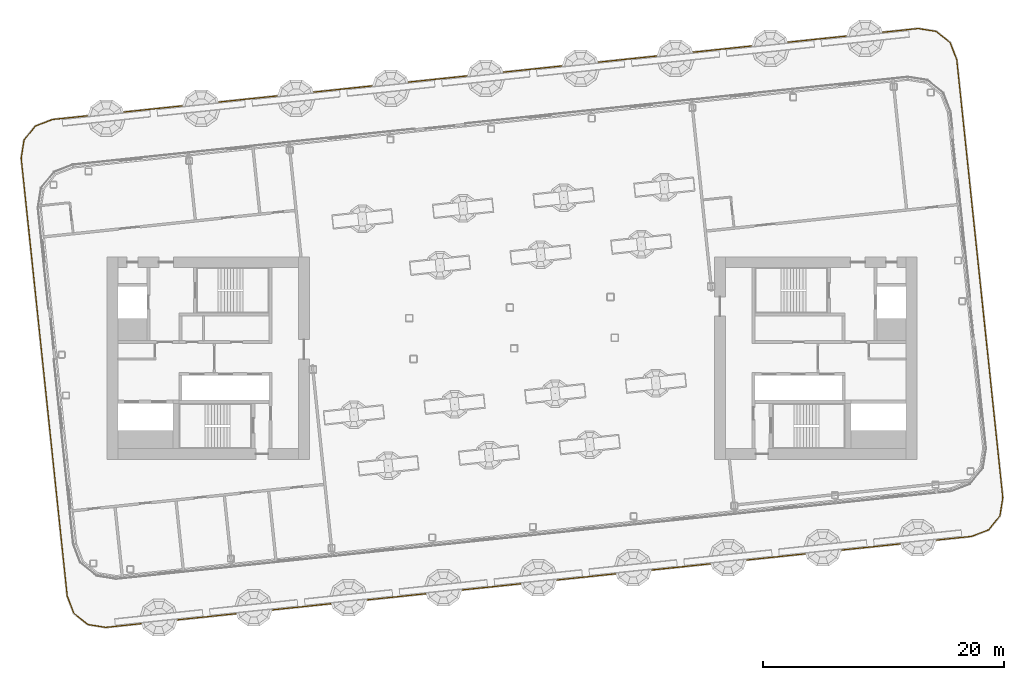
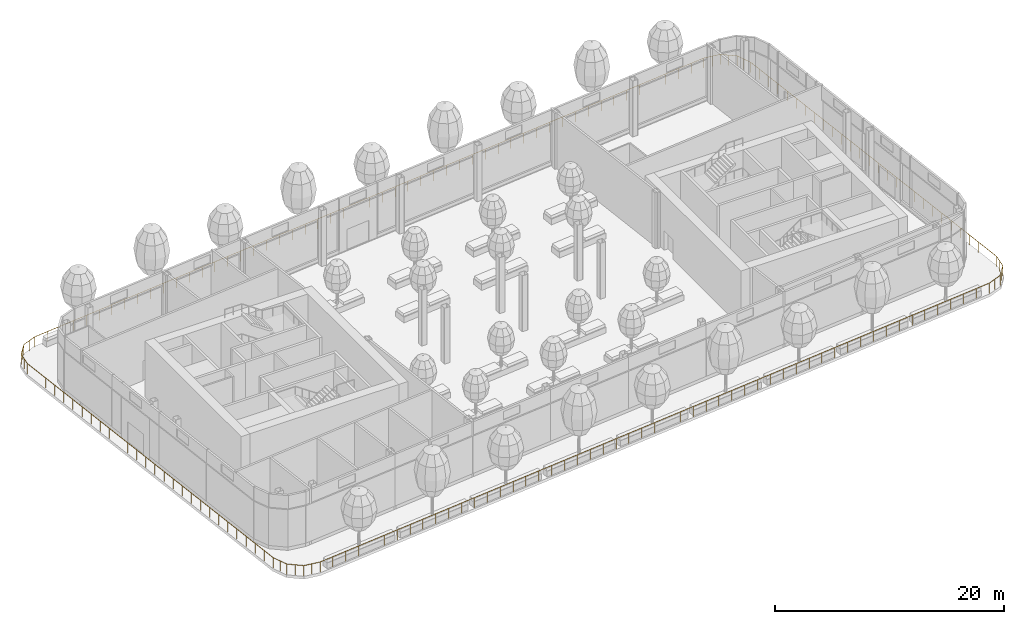
# One storey, part 33 of 42: 1 railing.
"""IFC4 building model written with IfcOpenShell, lengths in metres."""

from ifc_helpers import new_model, si_unit, direction, frame, origin, origin_2d, place, context, subcontext, project, spatial, circle, extrude, material, type_object, element, save


model = new_model("IFC4")

# Units and contexts
model_context = context("Model", 3, precision=1e-05, world=origin(), true_north=direction((0.0, 1.0)))
body_context = subcontext(model_context, "Body", "Model", "MODEL_VIEW")
ifc_project = project(units=[si_unit("LENGTHUNIT", "METRE"), si_unit("AREAUNIT", "SQUARE_METRE"), si_unit("VOLUMEUNIT", "CUBIC_METRE"), si_unit("PLANEANGLEUNIT", "RADIAN"), si_unit("MASSUNIT", "GRAM", prefix="KILO")], contexts=[model_context])

# Site, building, storey
site_placement = place(None, origin())
site = spatial("IfcSite", under=ifc_project, at=site_placement, CompositionType="ELEMENT")
building_placement = place(site_placement, origin())
building = spatial("IfcBuilding", under=site, at=building_placement, Name="Hakoniwa Tower and Hamabe Station Hall", CompositionType="ELEMENT")
storey_placement = place(building_placement, frame((0.0, 0.0, 232.60009765625)))
storey = spatial("IfcBuildingStorey", under=building, at=storey_placement, Name="L66", CompositionType="ELEMENT", Elevation=232.60009765625)

# Railing
ifc_material = material(Name="Stainless steel and laminated glass", Category="steel")
railing_type = type_object("IfcRailingType", Name="TERRACE BALUSTRADE 1100", PredefinedType="BALUSTRADE", material=ifc_material)
railing_placement = place(storey_placement, frame((40.49560546875, -13.09130859375, 0.0)))
element("IfcRailing", 1, at=railing_placement, inside=storey, type_object=railing_type, Name="Terrace balustrade", PredefinedType="BALUSTRADE", context=body_context, shape_type="SweptSolid", body=[
    extrude(circle(Radius=0.02392578125, at=origin_2d()), frame((0.0, 0.0, 1.076171875), z_axis=(0.156492768911, 0.987679104405, 0.0), x_axis=(-0.987679104405, 0.156492768911, 0.0)), (0.0, 0.0, 1.0), 1.51318359375),
    extrude(circle(Radius=0.02392578125, at=origin_2d()), frame((0.23681640625, 1.49462890625, 1.076171875), z_axis=(-0.104530767026, 0.994521653231, 0.0), x_axis=(-0.994521653231, -0.104530767026, 0.0)), (0.0, 0.0, 1.0), 36.55419921875),
    extrude(circle(Radius=0.02392578125, at=origin_2d()), frame((-3.584228515625, 37.8486328125, 1.076171875), z_axis=(-0.358395357491, 0.933569905111, 0.0), x_axis=(-0.933569905111, -0.358395357491, 0.0)), (0.0, 0.0, 1.0), 1.513671875),
    extrude(circle(Radius=0.02392578125, at=origin_2d()), frame((-4.126708984375, 39.26171875, 1.076171875), z_axis=(-0.777138714481, 0.629329340214, 0.0), x_axis=(-0.629329340214, -0.777138714481, 0.0)), (0.0, 0.0, 1.0), 1.499755859375),
    extrude(circle(Radius=0.02392578125, at=origin_2d()), frame((-5.292236328125, 40.20556640625, 1.076171875), z_axis=(-0.987683054498, 0.156467836496, 0.0), x_axis=(-0.156467836496, -0.987683054498, 0.0)), (0.0, 0.0, 1.0), 1.513427734375),
    extrude(circle(Radius=0.02392578125, at=origin_2d()), frame((-6.787109375, 40.4423828125, 1.076171875), z_axis=(-0.994521791723, -0.104529449378, 0.0), x_axis=(0.104529449378, -0.994521791723, 0.0)), (0.0, 0.0, 1.0), 72.242919921875),
    extrude(circle(Radius=0.02392578125, at=origin_2d()), frame((-78.63427734375, 32.890869140625, 1.076171875), z_axis=(-0.933569905111, -0.358395357491, 0.0), x_axis=(0.358395357491, -0.933569905111, 0.0)), (0.0, 0.0, 1.0), 1.513671875),
    extrude(circle(Radius=0.02392578125, at=origin_2d()), frame((-80.04736328125, 32.348388671875, 1.076171875), z_axis=(-0.629329340214, -0.777138714481, 0.0), x_axis=(0.777138714481, -0.629329340214, 0.0)), (0.0, 0.0, 1.0), 1.499755859375),
    extrude(circle(Radius=0.02392578125, at=origin_2d()), frame((-80.9912109375, 31.182861328125, 1.076171875), z_axis=(-0.156467836496, -0.987683054498, 0.0), x_axis=(0.987683054498, -0.156467836496, 0.0)), (0.0, 0.0, 1.0), 1.513427734375),
    extrude(circle(Radius=0.02392578125, at=origin_2d()), frame((-81.22802734375, 29.68798828125, 1.076171875), z_axis=(0.104530767026, -0.994521653231, 0.0), x_axis=(0.994521653231, 0.104530767026, 0.0)), (0.0, 0.0, 1.0), 36.55419921875),
    extrude(circle(Radius=0.02392578125, at=origin_2d()), frame((-77.406982421875, -6.666015625, 1.076171875), z_axis=(0.358395357491, -0.933569905111, 0.0), x_axis=(0.933569905111, 0.358395357491, 0.0)), (0.0, 0.0, 1.0), 1.513671875),
    extrude(circle(Radius=0.02392578125, at=origin_2d()), frame((-76.864501953125, -8.0791015625, 1.076171875), z_axis=(0.777138714481, -0.629329340214, 0.0), x_axis=(0.629329340214, 0.777138714481, 0.0)), (0.0, 0.0, 1.0), 1.499755859375),
    extrude(circle(Radius=0.02392578125, at=origin_2d()), frame((-75.698974609375, -9.02294921875, 1.076171875), z_axis=(0.987683054498, -0.156467836496, 0.0), x_axis=(0.156467836496, 0.987683054498, 0.0)), (0.0, 0.0, 1.0), 1.513427734375),
    extrude(circle(Radius=0.02392578125, at=origin_2d()), frame((-74.2041015625, -9.259765625, 1.076171875), z_axis=(0.994521791723, 0.104529449378, 0.0), x_axis=(-0.104529449378, 0.994521791723, 0.0)), (0.0, 0.0, 1.0), 72.242919921875),
    extrude(circle(Radius=0.02392578125, at=origin_2d()), frame((-2.35693359375, -1.708251953125, 1.076171875), z_axis=(0.933569905111, 0.358395357491, 0.0), x_axis=(-0.358395357491, 0.933569905111, 0.0)), (0.0, 0.0, 1.0), 1.513671875),
    extrude(circle(Radius=0.02392578125, at=origin_2d()), frame((-0.94384765625, -1.165771484375, 1.076171875), z_axis=(0.629249732395, 0.777203174389, 0.0), x_axis=(-0.777203174389, 0.629249732395, 0.0)), (0.0, 0.0, 1.0), 1.5),
    extrude(circle(Radius=0.02099609375, at=origin_2d()), origin(), (0.0, 0.0, 1.0), 1.052001953125),
    extrude(circle(Radius=0.02099609375, at=origin_2d()), frame((0.118408203125, 0.747314453125, 0.0)), (0.0, 0.0, 1.0), 1.052001953125),
    extrude(circle(Radius=0.02099609375, at=origin_2d()), frame((0.23681640625, 1.49462890625, 0.0)), (0.0, 0.0, 1.0), 1.052001953125),
    extrude(circle(Radius=0.02099609375, at=origin_2d()), frame((0.09521484375, 2.841064453125, 0.0)), (0.0, 0.0, 1.0), 1.052001953125),
    extrude(circle(Radius=0.02099609375, at=origin_2d()), frame((-0.046142578125, 4.1875, 0.0)), (0.0, 0.0, 1.0), 1.052001953125),
    extrude(circle(Radius=0.02099609375, at=origin_2d()), frame((-0.187744140625, 5.533935546875, 0.0)), (0.0, 0.0, 1.0), 1.052001953125),
    extrude(circle(Radius=0.02099609375, at=origin_2d()), frame((-0.329345703125, 6.88037109375, 0.0)), (0.0, 0.0, 1.0), 1.052001953125),
    extrude(circle(Radius=0.02099609375, at=origin_2d()), frame((-0.470703125, 8.226806640625, 0.0)), (0.0, 0.0, 1.0), 1.052001953125),
    extrude(circle(Radius=0.02099609375, at=origin_2d()), frame((-0.6123046875, 9.5732421875, 0.0)), (0.0, 0.0, 1.0), 1.052001953125),
    extrude(circle(Radius=0.02099609375, at=origin_2d()), frame((-0.75390625, 10.919677734375, 0.0)), (0.0, 0.0, 1.0), 1.052001953125),
    extrude(circle(Radius=0.02099609375, at=origin_2d()), frame((-0.895263671875, 12.26611328125, 0.0)), (0.0, 0.0, 1.0), 1.052001953125),
    extrude(circle(Radius=0.02099609375, at=origin_2d()), frame((-1.036865234375, 13.612548828125, 0.0)), (0.0, 0.0, 1.0), 1.052001953125),
    extrude(circle(Radius=0.02099609375, at=origin_2d()), frame((-1.178466796875, 14.958984375, 0.0)), (0.0, 0.0, 1.0), 1.052001953125),
    extrude(circle(Radius=0.02099609375, at=origin_2d()), frame((-1.31982421875, 16.305419921875, 0.0)), (0.0, 0.0, 1.0), 1.052001953125),
    extrude(circle(Radius=0.02099609375, at=origin_2d()), frame((-1.46142578125, 17.65185546875, 0.0)), (0.0, 0.0, 1.0), 1.052001953125),
    extrude(circle(Radius=0.02099609375, at=origin_2d()), frame((-1.60302734375, 18.998291015625, 0.0)), (0.0, 0.0, 1.0), 1.052001953125),
    extrude(circle(Radius=0.02099609375, at=origin_2d()), frame((-1.744384765625, 20.344970703125, 0.0)), (0.0, 0.0, 1.0), 1.052001953125),
    extrude(circle(Radius=0.02099609375, at=origin_2d()), frame((-1.885986328125, 21.69140625, 0.0)), (0.0, 0.0, 1.0), 1.052001953125),
    extrude(circle(Radius=0.02099609375, at=origin_2d()), frame((-2.027587890625, 23.037841796875, 0.0)), (0.0, 0.0, 1.0), 1.052001953125),
    extrude(circle(Radius=0.02099609375, at=origin_2d()), frame((-2.1689453125, 24.38427734375, 0.0)), (0.0, 0.0, 1.0), 1.052001953125),
    extrude(circle(Radius=0.02099609375, at=origin_2d()), frame((-2.310546875, 25.730712890625, 0.0)), (0.0, 0.0, 1.0), 1.052001953125),
    extrude(circle(Radius=0.02099609375, at=origin_2d()), frame((-2.4521484375, 27.0771484375, 0.0)), (0.0, 0.0, 1.0), 1.052001953125),
    extrude(circle(Radius=0.02099609375, at=origin_2d()), frame((-2.593505859375, 28.423583984375, 0.0)), (0.0, 0.0, 1.0), 1.052001953125),
    extrude(circle(Radius=0.02099609375, at=origin_2d()), frame((-2.735107421875, 29.77001953125, 0.0)), (0.0, 0.0, 1.0), 1.052001953125),
    extrude(circle(Radius=0.02099609375, at=origin_2d()), frame((-2.876708984375, 31.116455078125, 0.0)), (0.0, 0.0, 1.0), 1.052001953125),
    extrude(circle(Radius=0.02099609375, at=origin_2d()), frame((-3.01806640625, 32.462890625, 0.0)), (0.0, 0.0, 1.0), 1.052001953125),
    extrude(circle(Radius=0.02099609375, at=origin_2d()), frame((-3.15966796875, 33.809326171875, 0.0)), (0.0, 0.0, 1.0), 1.052001953125),
    extrude(circle(Radius=0.02099609375, at=origin_2d()), frame((-3.30126953125, 35.15576171875, 0.0)), (0.0, 0.0, 1.0), 1.052001953125),
    extrude(circle(Radius=0.02099609375, at=origin_2d()), frame((-3.442626953125, 36.502197265625, 0.0)), (0.0, 0.0, 1.0), 1.052001953125),
    extrude(circle(Radius=0.02099609375, at=origin_2d()), frame((-3.584228515625, 37.8486328125, 0.0)), (0.0, 0.0, 1.0), 1.052001953125),
    extrude(circle(Radius=0.02099609375, at=origin_2d()), frame((-3.85546875, 38.55517578125, 0.0)), (0.0, 0.0, 1.0), 1.052001953125),
    extrude(circle(Radius=0.02099609375, at=origin_2d()), frame((-4.126708984375, 39.26171875, 0.0)), (0.0, 0.0, 1.0), 1.052001953125),
    extrude(circle(Radius=0.02099609375, at=origin_2d()), frame((-4.70947265625, 39.733642578125, 0.0)), (0.0, 0.0, 1.0), 1.052001953125),
    extrude(circle(Radius=0.02099609375, at=origin_2d()), frame((-5.292236328125, 40.20556640625, 0.0)), (0.0, 0.0, 1.0), 1.052001953125),
    extrude(circle(Radius=0.02099609375, at=origin_2d()), frame((-6.03955078125, 40.323974609375, 0.0)), (0.0, 0.0, 1.0), 1.052001953125),
    extrude(circle(Radius=0.02099609375, at=origin_2d()), frame((-6.787109375, 40.4423828125, 0.0)), (0.0, 0.0, 1.0), 1.052001953125),
    extrude(circle(Radius=0.02099609375, at=origin_2d()), frame((-8.168701171875, 40.297119140625, 0.0)), (0.0, 0.0, 1.0), 1.052001953125),
    extrude(circle(Radius=0.02099609375, at=origin_2d()), frame((-9.550537109375, 40.15185546875, 0.0)), (0.0, 0.0, 1.0), 1.052001953125),
    extrude(circle(Radius=0.02099609375, at=origin_2d()), frame((-10.93212890625, 40.0068359375, 0.0)), (0.0, 0.0, 1.0), 1.052001953125),
    extrude(circle(Radius=0.02099609375, at=origin_2d()), frame((-12.313720703125, 39.861572265625, 0.0)), (0.0, 0.0, 1.0), 1.052001953125),
    extrude(circle(Radius=0.02099609375, at=origin_2d()), frame((-13.695556640625, 39.71630859375, 0.0)), (0.0, 0.0, 1.0), 1.052001953125),
    extrude(circle(Radius=0.02099609375, at=origin_2d()), frame((-15.0771484375, 39.571044921875, 0.0)), (0.0, 0.0, 1.0), 1.052001953125),
    extrude(circle(Radius=0.02099609375, at=origin_2d()), frame((-16.458740234375, 39.42578125, 0.0)), (0.0, 0.0, 1.0), 1.052001953125),
    extrude(circle(Radius=0.02099609375, at=origin_2d()), frame((-17.840576171875, 39.280517578125, 0.0)), (0.0, 0.0, 1.0), 1.052001953125),
    extrude(circle(Radius=0.02099609375, at=origin_2d()), frame((-19.22216796875, 39.135498046875, 0.0)), (0.0, 0.0, 1.0), 1.052001953125),
    extrude(circle(Radius=0.02099609375, at=origin_2d()), frame((-20.603759765625, 38.990234375, 0.0)), (0.0, 0.0, 1.0), 1.052001953125),
    extrude(circle(Radius=0.02099609375, at=origin_2d()), frame((-21.985595703125, 38.844970703125, 0.0)), (0.0, 0.0, 1.0), 1.052001953125),
    extrude(circle(Radius=0.02099609375, at=origin_2d()), frame((-23.3671875, 38.69970703125, 0.0)), (0.0, 0.0, 1.0), 1.052001953125),
    extrude(circle(Radius=0.02099609375, at=origin_2d()), frame((-24.7490234375, 38.554443359375, 0.0)), (0.0, 0.0, 1.0), 1.052001953125),
    extrude(circle(Radius=0.02099609375, at=origin_2d()), frame((-26.130615234375, 38.4091796875, 0.0)), (0.0, 0.0, 1.0), 1.052001953125),
    extrude(circle(Radius=0.02099609375, at=origin_2d()), frame((-27.51220703125, 38.26416015625, 0.0)), (0.0, 0.0, 1.0), 1.052001953125),
    extrude(circle(Radius=0.02099609375, at=origin_2d()), frame((-28.89404296875, 38.118896484375, 0.0)), (0.0, 0.0, 1.0), 1.052001953125),
    extrude(circle(Radius=0.02099609375, at=origin_2d()), frame((-30.275634765625, 37.9736328125, 0.0)), (0.0, 0.0, 1.0), 1.052001953125),
    extrude(circle(Radius=0.02099609375, at=origin_2d()), frame((-31.6572265625, 37.828369140625, 0.0)), (0.0, 0.0, 1.0), 1.052001953125),
    extrude(circle(Radius=0.02099609375, at=origin_2d()), frame((-33.0390625, 37.68310546875, 0.0)), (0.0, 0.0, 1.0), 1.052001953125),
    extrude(circle(Radius=0.02099609375, at=origin_2d()), frame((-34.420654296875, 37.537841796875, 0.0)), (0.0, 0.0, 1.0), 1.052001953125),
    extrude(circle(Radius=0.02099609375, at=origin_2d()), frame((-35.80224609375, 37.392822265625, 0.0)), (0.0, 0.0, 1.0), 1.052001953125),
    extrude(circle(Radius=0.02099609375, at=origin_2d()), frame((-37.18408203125, 37.24755859375, 0.0)), (0.0, 0.0, 1.0), 1.052001953125),
    extrude(circle(Radius=0.02099609375, at=origin_2d()), frame((-38.565673828125, 37.102294921875, 0.0)), (0.0, 0.0, 1.0), 1.052001953125),
    extrude(circle(Radius=0.02099609375, at=origin_2d()), frame((-39.947265625, 36.95703125, 0.0)), (0.0, 0.0, 1.0), 1.052001953125),
    extrude(circle(Radius=0.02099609375, at=origin_2d()), frame((-41.3291015625, 36.811767578125, 0.0)), (0.0, 0.0, 1.0), 1.052001953125),
    extrude(circle(Radius=0.02099609375, at=origin_2d()), frame((-42.710693359375, 36.66650390625, 0.0)), (0.0, 0.0, 1.0), 1.052001953125),
    extrude(circle(Radius=0.02099609375, at=origin_2d()), frame((-44.09228515625, 36.521484375, 0.0)), (0.0, 0.0, 1.0), 1.052001953125),
    extrude(circle(Radius=0.02099609375, at=origin_2d()), frame((-45.47412109375, 36.376220703125, 0.0)), (0.0, 0.0, 1.0), 1.052001953125),
    extrude(circle(Radius=0.02099609375, at=origin_2d()), frame((-46.855712890625, 36.23095703125, 0.0)), (0.0, 0.0, 1.0), 1.052001953125),
    extrude(circle(Radius=0.02099609375, at=origin_2d()), frame((-48.2373046875, 36.085693359375, 0.0)), (0.0, 0.0, 1.0), 1.052001953125),
    extrude(circle(Radius=0.02099609375, at=origin_2d()), frame((-49.619140625, 35.9404296875, 0.0)), (0.0, 0.0, 1.0), 1.052001953125),
    extrude(circle(Radius=0.02099609375, at=origin_2d()), frame((-51.000732421875, 35.79541015625, 0.0)), (0.0, 0.0, 1.0), 1.052001953125),
    extrude(circle(Radius=0.02099609375, at=origin_2d()), frame((-52.38232421875, 35.650146484375, 0.0)), (0.0, 0.0, 1.0), 1.052001953125),
    extrude(circle(Radius=0.02099609375, at=origin_2d()), frame((-53.76416015625, 35.5048828125, 0.0)), (0.0, 0.0, 1.0), 1.052001953125),
    extrude(circle(Radius=0.02099609375, at=origin_2d()), frame((-55.145751953125, 35.359619140625, 0.0)), (0.0, 0.0, 1.0), 1.052001953125),
    extrude(circle(Radius=0.02099609375, at=origin_2d()), frame((-56.52734375, 35.21435546875, 0.0)), (0.0, 0.0, 1.0), 1.052001953125),
    extrude(circle(Radius=0.02099609375, at=origin_2d()), frame((-57.9091796875, 35.069091796875, 0.0)), (0.0, 0.0, 1.0), 1.052001953125),
    extrude(circle(Radius=0.02099609375, at=origin_2d()), frame((-59.290771484375, 34.924072265625, 0.0)), (0.0, 0.0, 1.0), 1.052001953125),
    extrude(circle(Radius=0.02099609375, at=origin_2d()), frame((-60.67236328125, 34.77880859375, 0.0)), (0.0, 0.0, 1.0), 1.052001953125),
    extrude(circle(Radius=0.02099609375, at=origin_2d()), frame((-62.05419921875, 34.633544921875, 0.0)), (0.0, 0.0, 1.0), 1.052001953125),
    extrude(circle(Radius=0.02099609375, at=origin_2d()), frame((-63.435791015625, 34.48828125, 0.0)), (0.0, 0.0, 1.0), 1.052001953125),
    extrude(circle(Radius=0.02099609375, at=origin_2d()), frame((-64.817626953125, 34.343017578125, 0.0)), (0.0, 0.0, 1.0), 1.052001953125),
    extrude(circle(Radius=0.02099609375, at=origin_2d()), frame((-66.19921875, 34.19775390625, 0.0)), (0.0, 0.0, 1.0), 1.052001953125),
    extrude(circle(Radius=0.02099609375, at=origin_2d()), frame((-67.580810546875, 34.052734375, 0.0)), (0.0, 0.0, 1.0), 1.052001953125),
    extrude(circle(Radius=0.02099609375, at=origin_2d()), frame((-68.962646484375, 33.907470703125, 0.0)), (0.0, 0.0, 1.0), 1.052001953125),
    extrude(circle(Radius=0.02099609375, at=origin_2d()), frame((-70.34423828125, 33.76220703125, 0.0)), (0.0, 0.0, 1.0), 1.052001953125),
    extrude(circle(Radius=0.02099609375, at=origin_2d()), frame((-71.725830078125, 33.616943359375, 0.0)), (0.0, 0.0, 1.0), 1.052001953125),
    extrude(circle(Radius=0.02099609375, at=origin_2d()), frame((-73.107666015625, 33.4716796875, 0.0)), (0.0, 0.0, 1.0), 1.052001953125),
    extrude(circle(Radius=0.02099609375, at=origin_2d()), frame((-74.4892578125, 33.326416015625, 0.0)), (0.0, 0.0, 1.0), 1.052001953125),
    extrude(circle(Radius=0.02099609375, at=origin_2d()), frame((-75.870849609375, 33.181396484375, 0.0)), (0.0, 0.0, 1.0), 1.052001953125),
    extrude(circle(Radius=0.02099609375, at=origin_2d()), frame((-77.252685546875, 33.0361328125, 0.0)), (0.0, 0.0, 1.0), 1.052001953125),
    extrude(circle(Radius=0.02099609375, at=origin_2d()), frame((-78.63427734375, 32.890869140625, 0.0)), (0.0, 0.0, 1.0), 1.052001953125),
    extrude(circle(Radius=0.02099609375, at=origin_2d()), frame((-79.3408203125, 32.61962890625, 0.0)), (0.0, 0.0, 1.0), 1.052001953125),
    extrude(circle(Radius=0.02099609375, at=origin_2d()), frame((-80.04736328125, 32.348388671875, 0.0)), (0.0, 0.0, 1.0), 1.052001953125),
    extrude(circle(Radius=0.02099609375, at=origin_2d()), frame((-80.519287109375, 31.765625, 0.0)), (0.0, 0.0, 1.0), 1.052001953125),
    extrude(circle(Radius=0.02099609375, at=origin_2d()), frame((-80.9912109375, 31.182861328125, 0.0)), (0.0, 0.0, 1.0), 1.052001953125),
    extrude(circle(Radius=0.02099609375, at=origin_2d()), frame((-81.109619140625, 30.435546875, 0.0)), (0.0, 0.0, 1.0), 1.052001953125),
    extrude(circle(Radius=0.02099609375, at=origin_2d()), frame((-81.22802734375, 29.68798828125, 0.0)), (0.0, 0.0, 1.0), 1.052001953125),
    extrude(circle(Radius=0.02099609375, at=origin_2d()), frame((-81.08642578125, 28.341552734375, 0.0)), (0.0, 0.0, 1.0), 1.052001953125),
    extrude(circle(Radius=0.02099609375, at=origin_2d()), frame((-80.945068359375, 26.9951171875, 0.0)), (0.0, 0.0, 1.0), 1.052001953125),
    extrude(circle(Radius=0.02099609375, at=origin_2d()), frame((-80.803466796875, 25.648681640625, 0.0)), (0.0, 0.0, 1.0), 1.052001953125),
    extrude(circle(Radius=0.02099609375, at=origin_2d()), frame((-80.661865234375, 24.30224609375, 0.0)), (0.0, 0.0, 1.0), 1.052001953125),
    extrude(circle(Radius=0.02099609375, at=origin_2d()), frame((-80.5205078125, 22.955810546875, 0.0)), (0.0, 0.0, 1.0), 1.052001953125),
    extrude(circle(Radius=0.02099609375, at=origin_2d()), frame((-80.37890625, 21.609375, 0.0)), (0.0, 0.0, 1.0), 1.052001953125),
    extrude(circle(Radius=0.02099609375, at=origin_2d()), frame((-80.2373046875, 20.262939453125, 0.0)), (0.0, 0.0, 1.0), 1.052001953125),
    extrude(circle(Radius=0.02099609375, at=origin_2d()), frame((-80.095947265625, 18.91650390625, 0.0)), (0.0, 0.0, 1.0), 1.052001953125),
    extrude(circle(Radius=0.02099609375, at=origin_2d()), frame((-79.954345703125, 17.570068359375, 0.0)), (0.0, 0.0, 1.0), 1.052001953125),
    extrude(circle(Radius=0.02099609375, at=origin_2d()), frame((-79.812744140625, 16.2236328125, 0.0)), (0.0, 0.0, 1.0), 1.052001953125),
    extrude(circle(Radius=0.02099609375, at=origin_2d()), frame((-79.67138671875, 14.877197265625, 0.0)), (0.0, 0.0, 1.0), 1.052001953125),
    extrude(circle(Radius=0.02099609375, at=origin_2d()), frame((-79.52978515625, 13.53076171875, 0.0)), (0.0, 0.0, 1.0), 1.052001953125),
    extrude(circle(Radius=0.02099609375, at=origin_2d()), frame((-79.38818359375, 12.184326171875, 0.0)), (0.0, 0.0, 1.0), 1.052001953125),
    extrude(circle(Radius=0.02099609375, at=origin_2d()), frame((-79.246826171875, 10.837646484375, 0.0)), (0.0, 0.0, 1.0), 1.052001953125),
    extrude(circle(Radius=0.02099609375, at=origin_2d()), frame((-79.105224609375, 9.4912109375, 0.0)), (0.0, 0.0, 1.0), 1.052001953125),
    extrude(circle(Radius=0.02099609375, at=origin_2d()), frame((-78.963623046875, 8.144775390625, 0.0)), (0.0, 0.0, 1.0), 1.052001953125),
    extrude(circle(Radius=0.02099609375, at=origin_2d()), frame((-78.822265625, 6.79833984375, 0.0)), (0.0, 0.0, 1.0), 1.052001953125),
    extrude(circle(Radius=0.02099609375, at=origin_2d()), frame((-78.6806640625, 5.451904296875, 0.0)), (0.0, 0.0, 1.0), 1.052001953125),
    extrude(circle(Radius=0.02099609375, at=origin_2d()), frame((-78.5390625, 4.10546875, 0.0)), (0.0, 0.0, 1.0), 1.052001953125),
    extrude(circle(Radius=0.02099609375, at=origin_2d()), frame((-78.397705078125, 2.759033203125, 0.0)), (0.0, 0.0, 1.0), 1.052001953125),
    extrude(circle(Radius=0.02099609375, at=origin_2d()), frame((-78.256103515625, 1.41259765625, 0.0)), (0.0, 0.0, 1.0), 1.052001953125),
    extrude(circle(Radius=0.02099609375, at=origin_2d()), frame((-78.114501953125, 0.066162109375, 0.0)), (0.0, 0.0, 1.0), 1.052001953125),
    extrude(circle(Radius=0.02099609375, at=origin_2d()), frame((-77.97314453125, -1.2802734375, 0.0)), (0.0, 0.0, 1.0), 1.052001953125),
    extrude(circle(Radius=0.02099609375, at=origin_2d()), frame((-77.83154296875, -2.626708984375, 0.0)), (0.0, 0.0, 1.0), 1.052001953125),
    extrude(circle(Radius=0.02099609375, at=origin_2d()), frame((-77.68994140625, -3.97314453125, 0.0)), (0.0, 0.0, 1.0), 1.052001953125),
    extrude(circle(Radius=0.02099609375, at=origin_2d()), frame((-77.548583984375, -5.319580078125, 0.0)), (0.0, 0.0, 1.0), 1.052001953125),
    extrude(circle(Radius=0.02099609375, at=origin_2d()), frame((-77.406982421875, -6.666015625, 0.0)), (0.0, 0.0, 1.0), 1.052001953125),
    extrude(circle(Radius=0.02099609375, at=origin_2d()), frame((-77.1357421875, -7.37255859375, 0.0)), (0.0, 0.0, 1.0), 1.052001953125),
    extrude(circle(Radius=0.02099609375, at=origin_2d()), frame((-76.864501953125, -8.0791015625, 0.0)), (0.0, 0.0, 1.0), 1.052001953125),
    extrude(circle(Radius=0.02099609375, at=origin_2d()), frame((-76.28173828125, -8.551025390625, 0.0)), (0.0, 0.0, 1.0), 1.052001953125),
    extrude(circle(Radius=0.02099609375, at=origin_2d()), frame((-75.698974609375, -9.02294921875, 0.0)), (0.0, 0.0, 1.0), 1.052001953125),
    extrude(circle(Radius=0.02099609375, at=origin_2d()), frame((-74.95166015625, -9.141357421875, 0.0)), (0.0, 0.0, 1.0), 1.052001953125),
    extrude(circle(Radius=0.02099609375, at=origin_2d()), frame((-74.2041015625, -9.259765625, 0.0)), (0.0, 0.0, 1.0), 1.052001953125),
    extrude(circle(Radius=0.02099609375, at=origin_2d()), frame((-72.822509765625, -9.114501953125, 0.0)), (0.0, 0.0, 1.0), 1.052001953125),
    extrude(circle(Radius=0.02099609375, at=origin_2d()), frame((-71.440673828125, -8.96923828125, 0.0)), (0.0, 0.0, 1.0), 1.052001953125),
    extrude(circle(Radius=0.02099609375, at=origin_2d()), frame((-70.05908203125, -8.82421875, 0.0)), (0.0, 0.0, 1.0), 1.052001953125),
    extrude(circle(Radius=0.02099609375, at=origin_2d()), frame((-68.677490234375, -8.678955078125, 0.0)), (0.0, 0.0, 1.0), 1.052001953125),
    extrude(circle(Radius=0.02099609375, at=origin_2d()), frame((-67.295654296875, -8.53369140625, 0.0)), (0.0, 0.0, 1.0), 1.052001953125),
    extrude(circle(Radius=0.02099609375, at=origin_2d()), frame((-65.9140625, -8.388427734375, 0.0)), (0.0, 0.0, 1.0), 1.052001953125),
    extrude(circle(Radius=0.02099609375, at=origin_2d()), frame((-64.532470703125, -8.2431640625, 0.0)), (0.0, 0.0, 1.0), 1.052001953125),
    extrude(circle(Radius=0.02099609375, at=origin_2d()), frame((-63.150634765625, -8.097900390625, 0.0)), (0.0, 0.0, 1.0), 1.052001953125),
    extrude(circle(Radius=0.02099609375, at=origin_2d()), frame((-61.76904296875, -7.952880859375, 0.0)), (0.0, 0.0, 1.0), 1.052001953125),
    extrude(circle(Radius=0.02099609375, at=origin_2d()), frame((-60.387451171875, -7.8076171875, 0.0)), (0.0, 0.0, 1.0), 1.052001953125),
    extrude(circle(Radius=0.02099609375, at=origin_2d()), frame((-59.005615234375, -7.662353515625, 0.0)), (0.0, 0.0, 1.0), 1.052001953125),
    extrude(circle(Radius=0.02099609375, at=origin_2d()), frame((-57.6240234375, -7.51708984375, 0.0)), (0.0, 0.0, 1.0), 1.052001953125),
    extrude(circle(Radius=0.02099609375, at=origin_2d()), frame((-56.2421875, -7.371826171875, 0.0)), (0.0, 0.0, 1.0), 1.052001953125),
    extrude(circle(Radius=0.02099609375, at=origin_2d()), frame((-54.860595703125, -7.2265625, 0.0)), (0.0, 0.0, 1.0), 1.052001953125),
    extrude(circle(Radius=0.02099609375, at=origin_2d()), frame((-53.47900390625, -7.08154296875, 0.0)), (0.0, 0.0, 1.0), 1.052001953125),
    extrude(circle(Radius=0.02099609375, at=origin_2d()), frame((-52.09716796875, -6.936279296875, 0.0)), (0.0, 0.0, 1.0), 1.052001953125),
    extrude(circle(Radius=0.02099609375, at=origin_2d()), frame((-50.715576171875, -6.791015625, 0.0)), (0.0, 0.0, 1.0), 1.052001953125),
    extrude(circle(Radius=0.02099609375, at=origin_2d()), frame((-49.333984375, -6.645751953125, 0.0)), (0.0, 0.0, 1.0), 1.052001953125),
    extrude(circle(Radius=0.02099609375, at=origin_2d()), frame((-47.9521484375, -6.50048828125, 0.0)), (0.0, 0.0, 1.0), 1.052001953125),
    extrude(circle(Radius=0.02099609375, at=origin_2d()), frame((-46.570556640625, -6.355224609375, 0.0)), (0.0, 0.0, 1.0), 1.052001953125),
    extrude(circle(Radius=0.02099609375, at=origin_2d()), frame((-45.18896484375, -6.210205078125, 0.0)), (0.0, 0.0, 1.0), 1.052001953125),
    extrude(circle(Radius=0.02099609375, at=origin_2d()), frame((-43.80712890625, -6.06494140625, 0.0)), (0.0, 0.0, 1.0), 1.052001953125),
    extrude(circle(Radius=0.02099609375, at=origin_2d()), frame((-42.425537109375, -5.919677734375, 0.0)), (0.0, 0.0, 1.0), 1.052001953125),
    extrude(circle(Radius=0.02099609375, at=origin_2d()), frame((-41.0439453125, -5.7744140625, 0.0)), (0.0, 0.0, 1.0), 1.052001953125),
    extrude(circle(Radius=0.02099609375, at=origin_2d()), frame((-39.662109375, -5.629150390625, 0.0)), (0.0, 0.0, 1.0), 1.052001953125),
    extrude(circle(Radius=0.02099609375, at=origin_2d()), frame((-38.280517578125, -5.48388671875, 0.0)), (0.0, 0.0, 1.0), 1.052001953125),
    extrude(circle(Radius=0.02099609375, at=origin_2d()), frame((-36.89892578125, -5.3388671875, 0.0)), (0.0, 0.0, 1.0), 1.052001953125),
    extrude(circle(Radius=0.02099609375, at=origin_2d()), frame((-35.51708984375, -5.193603515625, 0.0)), (0.0, 0.0, 1.0), 1.052001953125),
    extrude(circle(Radius=0.02099609375, at=origin_2d()), frame((-34.135498046875, -5.04833984375, 0.0)), (0.0, 0.0, 1.0), 1.052001953125),
    extrude(circle(Radius=0.02099609375, at=origin_2d()), frame((-32.75390625, -4.903076171875, 0.0)), (0.0, 0.0, 1.0), 1.052001953125),
    extrude(circle(Radius=0.02099609375, at=origin_2d()), frame((-31.3720703125, -4.7578125, 0.0)), (0.0, 0.0, 1.0), 1.052001953125),
    extrude(circle(Radius=0.02099609375, at=origin_2d()), frame((-29.990478515625, -4.61279296875, 0.0)), (0.0, 0.0, 1.0), 1.052001953125),
    extrude(circle(Radius=0.02099609375, at=origin_2d()), frame((-28.60888671875, -4.467529296875, 0.0)), (0.0, 0.0, 1.0), 1.052001953125),
    extrude(circle(Radius=0.02099609375, at=origin_2d()), frame((-27.22705078125, -4.322265625, 0.0)), (0.0, 0.0, 1.0), 1.052001953125),
    extrude(circle(Radius=0.02099609375, at=origin_2d()), frame((-25.845458984375, -4.177001953125, 0.0)), (0.0, 0.0, 1.0), 1.052001953125),
    extrude(circle(Radius=0.02099609375, at=origin_2d()), frame((-24.4638671875, -4.03173828125, 0.0)), (0.0, 0.0, 1.0), 1.052001953125),
    extrude(circle(Radius=0.02099609375, at=origin_2d()), frame((-23.08203125, -3.886474609375, 0.0)), (0.0, 0.0, 1.0), 1.052001953125),
    extrude(circle(Radius=0.02099609375, at=origin_2d()), frame((-21.700439453125, -3.741455078125, 0.0)), (0.0, 0.0, 1.0), 1.052001953125),
    extrude(circle(Radius=0.02099609375, at=origin_2d()), frame((-20.31884765625, -3.59619140625, 0.0)), (0.0, 0.0, 1.0), 1.052001953125),
    extrude(circle(Radius=0.02099609375, at=origin_2d()), frame((-18.93701171875, -3.450927734375, 0.0)), (0.0, 0.0, 1.0), 1.052001953125),
    extrude(circle(Radius=0.02099609375, at=origin_2d()), frame((-17.555419921875, -3.3056640625, 0.0)), (0.0, 0.0, 1.0), 1.052001953125),
    extrude(circle(Radius=0.02099609375, at=origin_2d()), frame((-16.173583984375, -3.160400390625, 0.0)), (0.0, 0.0, 1.0), 1.052001953125),
    extrude(circle(Radius=0.02099609375, at=origin_2d()), frame((-14.7919921875, -3.01513671875, 0.0)), (0.0, 0.0, 1.0), 1.052001953125),
    extrude(circle(Radius=0.02099609375, at=origin_2d()), frame((-13.410400390625, -2.8701171875, 0.0)), (0.0, 0.0, 1.0), 1.052001953125),
    extrude(circle(Radius=0.02099609375, at=origin_2d()), frame((-12.028564453125, -2.724853515625, 0.0)), (0.0, 0.0, 1.0), 1.052001953125),
    extrude(circle(Radius=0.02099609375, at=origin_2d()), frame((-10.64697265625, -2.57958984375, 0.0)), (0.0, 0.0, 1.0), 1.052001953125),
    extrude(circle(Radius=0.02099609375, at=origin_2d()), frame((-9.265380859375, -2.434326171875, 0.0)), (0.0, 0.0, 1.0), 1.052001953125),
    extrude(circle(Radius=0.02099609375, at=origin_2d()), frame((-7.883544921875, -2.2890625, 0.0)), (0.0, 0.0, 1.0), 1.052001953125),
    extrude(circle(Radius=0.02099609375, at=origin_2d()), frame((-6.501953125, -2.143798828125, 0.0)), (0.0, 0.0, 1.0), 1.052001953125),
    extrude(circle(Radius=0.02099609375, at=origin_2d()), frame((-5.120361328125, -1.998779296875, 0.0)), (0.0, 0.0, 1.0), 1.052001953125),
    extrude(circle(Radius=0.02099609375, at=origin_2d()), frame((-3.738525390625, -1.853515625, 0.0)), (0.0, 0.0, 1.0), 1.052001953125),
    extrude(circle(Radius=0.02099609375, at=origin_2d()), frame((-2.35693359375, -1.708251953125, 0.0)), (0.0, 0.0, 1.0), 1.052001953125),
    extrude(circle(Radius=0.02099609375, at=origin_2d()), frame((-1.650390625, -1.43701171875, 0.0)), (0.0, 0.0, 1.0), 1.052001953125),
    extrude(circle(Radius=0.02099609375, at=origin_2d()), frame((-0.94384765625, -1.165771484375, 0.0)), (0.0, 0.0, 1.0), 1.052001953125),
    extrude(circle(Radius=0.02099609375, at=origin_2d()), frame((-0.471923828125, -0.5830078125, 0.0)), (0.0, 0.0, 1.0), 1.052001953125),
])

save(model, "model.ifc")
